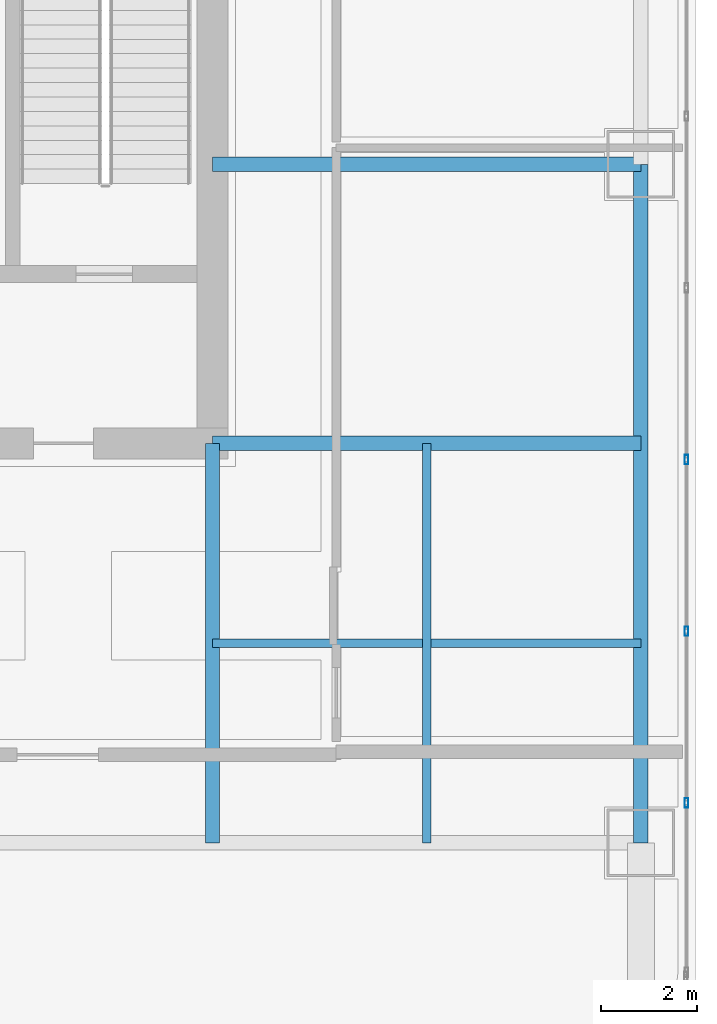
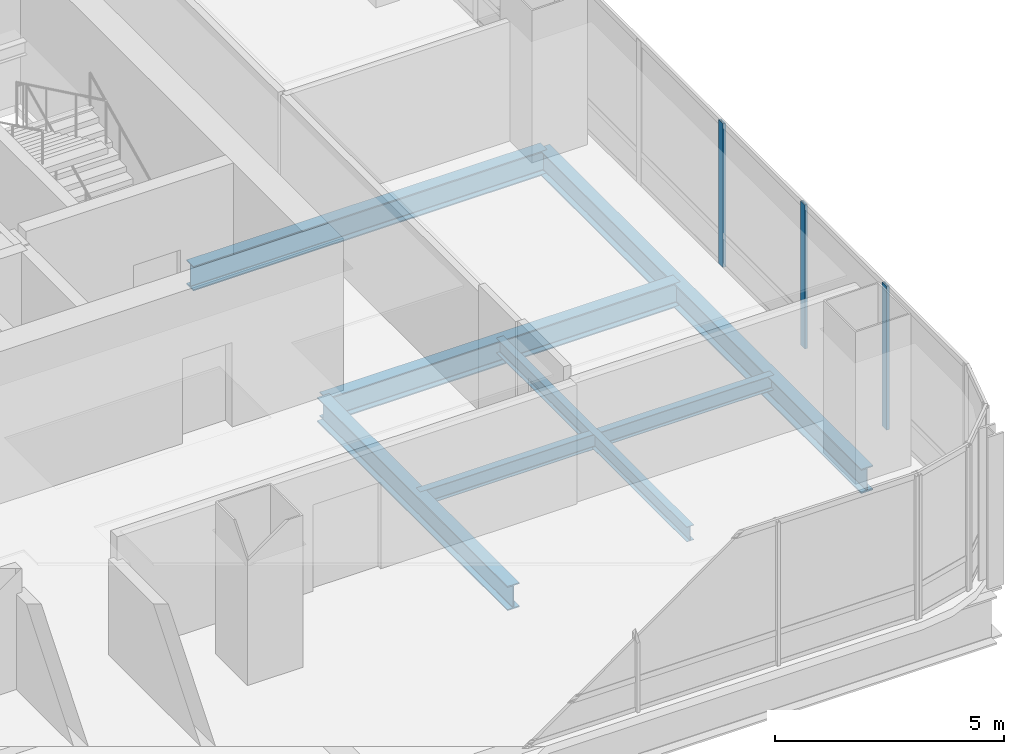
# One storey, part 14 of 36: 6 beams, 3 members, 1 element without a shape of its own.
"""IFC4 building model written with IfcOpenShell, lengths in metres."""

from ifc_helpers import new_model, si_unit, direction, frame, origin, origin_2d, place, context, subcontext, project, spatial, hollow_rectangle, i_section, extrude, material, material_profile, profile_set, type_object, element, aggregate, save


model = new_model("IFC4")

# Units and contexts
model_context = context("Model", 3, precision=1e-05, world=origin(), true_north=direction((0.0, 1.0)))
body_context = subcontext(model_context, "Body", "Model", "MODEL_VIEW")
ifc_project = project(units=[si_unit("LENGTHUNIT", "METRE"), si_unit("AREAUNIT", "SQUARE_METRE"), si_unit("VOLUMEUNIT", "CUBIC_METRE"), si_unit("PLANEANGLEUNIT", "RADIAN"), si_unit("MASSUNIT", "GRAM", prefix="KILO")], contexts=[model_context])

# Site, building, storey
site_placement = place(None, origin())
site = spatial("IfcSite", under=ifc_project, at=site_placement, CompositionType="ELEMENT")
building_placement = place(site_placement, origin())
building = spatial("IfcBuilding", under=site, at=building_placement, Name="Punatoya Terracotta Tower", CompositionType="ELEMENT")
storey_placement = place(building_placement, frame((0.0, 0.0, 196.5)))
storey = spatial("IfcBuildingStorey", under=building, at=storey_placement, Name="L46", CompositionType="ELEMENT", Elevation=196.5)

# Beams
ifc_material_1 = material(Name="Steel S355", Category="steel")
ifc_material_profile_1 = material_profile(ifc_material_1, i_section(OverallWidth=0.300048828125, OverallDepth=0.64990234375, WebThickness=0.01611328125, FlangeThickness=0.031005859375, FilletRadius=0.01806640625, at=origin_2d()))
ifc_profile_set_1 = profile_set([ifc_material_profile_1], Name="Steel S355")
beam_type_1 = type_object("IfcBeamType", Name="BM-PRI-650", PredefinedType="BEAM", material=ifc_profile_set_1)
beam_1_placement = place(storey_placement, frame((19.10009765625, -17.5, -0.544921875), z_axis=(0.0, 1.0, 0.0), x_axis=(-1.0, 0.0, 0.0)))
element("IfcBeam", 1, at=beam_1_placement, inside=storey, type_object=beam_type_1, Name="BM-L46-RG-E1", PredefinedType="BEAM", context=body_context, shape_type="SweptSolid", body=[
    extrude(i_section(OverallWidth=0.300048828125, OverallDepth=0.64990234375, WebThickness=0.01611328125, FlangeThickness=0.031005859375, FilletRadius=0.01806640625, at=origin_2d()), origin(), (0.0, 0.0, 1.0), 14.10009765625),
])
for number, where, z_axis, x_axis, name in (
    (2, (10.199951171875, -9.199951171875, -0.544921875), (1.0, 0.0, 0.0), (0.0, 1.0, 0.0), "BM-L46-PR-ES"),
    (3, (10.199951171875, -3.39990234375, -0.544921875), (1.0, 0.0, 0.0), (0.0, 1.0, 0.0), "BM-L46-PR-ED"),
):
    element("IfcBeam", number, at=place(storey_placement, frame(where, z_axis=z_axis, x_axis=x_axis)), inside=storey, type_object=beam_type_1, Name=name, PredefinedType="BEAM", context=body_context, shape_type="SweptSolid", body=[
        extrude(i_section(OverallWidth=0.300048828125, OverallDepth=0.64990234375, WebThickness=0.01611328125, FlangeThickness=0.031005859375, FilletRadius=0.01806640625, at=origin_2d()), origin(), (0.0, 0.0, 1.0), 8.900146484375),
    ])
beam_2_placement = place(storey_placement, frame((10.199951171875, -17.5, -0.544921875), z_axis=(0.0, 1.0, 0.0), x_axis=(-1.0, 0.0, 0.0)))
element("IfcBeam", 4, at=beam_2_placement, inside=storey, type_object=beam_type_1, Name="BM-L46-PR-S4", PredefinedType="BEAM", context=body_context, shape_type="SweptSolid", body=[
    extrude(i_section(OverallWidth=0.300048828125, OverallDepth=0.64990234375, WebThickness=0.01611328125, FlangeThickness=0.031005859375, FilletRadius=0.01806640625, at=origin_2d()), origin(), (0.0, 0.0, 1.0), 8.300048828125),
])
ifc_material_profile_2 = material_profile(ifc_material_1, i_section(OverallWidth=0.179931640625, OverallDepth=0.39990234375, WebThickness=0.008544921875, FlangeThickness=0.013427734375, FilletRadius=0.01806640625, at=origin_2d()))
ifc_profile_set_2 = profile_set([ifc_material_profile_2], Name="Steel S355")
beam_type_2 = type_object("IfcBeamType", Name="BM-SEC-400", PredefinedType="JOIST", material=ifc_profile_set_2)
beam_3_placement = place(storey_placement, frame((10.199951171875, -13.35009765625, -0.419921875), z_axis=(1.0, 0.0, 0.0), x_axis=(0.0, 1.0, 0.0)))
element("IfcBeam", 5, at=beam_3_placement, inside=storey, type_object=beam_type_2, Name="BM-L46-SJS-2", PredefinedType="JOIST", context=body_context, shape_type="SweptSolid", body=[
    extrude(i_section(OverallWidth=0.179931640625, OverallDepth=0.39990234375, WebThickness=0.008544921875, FlangeThickness=0.013427734375, FilletRadius=0.01806640625, at=origin_2d()), origin(), (0.0, 0.0, 1.0), 8.900146484375),
])
beam_4_placement = place(storey_placement, frame((14.64990234375, -17.5, -0.419921875), z_axis=(0.0, 1.0, 0.0), x_axis=(-1.0, 0.0, 0.0)))
element("IfcBeam", 6, at=beam_4_placement, inside=storey, type_object=beam_type_2, Name="BM-L46-SJE-1", PredefinedType="JOIST", context=body_context, shape_type="SweptSolid", body=[
    extrude(i_section(OverallWidth=0.179931640625, OverallDepth=0.39990234375, WebThickness=0.008544921875, FlangeThickness=0.013427734375, FilletRadius=0.01806640625, at=origin_2d()), origin(), (0.0, 0.0, 1.0), 8.300048828125),
])

# Curtain wall, members
ifc_material_2 = material(Name="Aluminium 6063-T6 + Double Low-E Glass", Category="aluminium")
curtain_wall_type = type_object("IfcCurtainWallType", Name="CW-M2", PredefinedType="NOTDEFINED", material=ifc_material_2)
curtain_wall_placement = place(storey_placement, origin())
curtain_wall = element("IfcCurtainWall", 7, at=curtain_wall_placement, inside=storey, type_object=curtain_wall_type, Name="L46 Curtain Wall CW-L46-E05-1", PredefinedType="NOTDEFINED")
ifc_material_3 = material(Name="Aluminium 6063-T6", Category="aluminium")
ifc_material_profile_3 = material_profile(ifc_material_3, hollow_rectangle(XDim=0.072021484375, YDim=0.195068359375, WallThickness=0.00439453125, at=origin_2d()))
ifc_profile_set_3 = profile_set([ifc_material_profile_3], Name="Aluminium 6063-T6")
member_type = type_object("IfcMemberType", Name="CW-MUL-M2", PredefinedType="MULLION", material=ifc_profile_set_3)
member_1_placement = place(storey_placement, frame((20.050048828125, -16.66943359375, 0.0), z_axis=(0.0, 0.0, 1.0), x_axis=(1.0, 0.0, 0.0)))
member_1 = element("IfcMember", 8, at=member_1_placement, type_object=member_type, Name="CW-L46-E05-1 Mullion 01", PredefinedType="MULLION", context=body_context, shape_type="SweptSolid", body=[
    extrude(hollow_rectangle(XDim=0.072021484375, YDim=0.195068359375, WallThickness=0.00439453125, at=origin_2d()), origin(), (0.0, 0.0, 1.0), 3.830078125),
])
member_2_placement = place(storey_placement, frame((20.050048828125, -13.10205078125, 0.0), z_axis=(0.0, 0.0, 1.0), x_axis=(1.0, 0.0, 0.0)))
member_2 = element("IfcMember", 9, at=member_2_placement, type_object=member_type, Name="CW-L46-E05-1 Mullion 02", PredefinedType="MULLION", context=body_context, shape_type="SweptSolid", body=[
    extrude(hollow_rectangle(XDim=0.072021484375, YDim=0.195068359375, WallThickness=0.00439453125, at=origin_2d()), origin(), (0.0, 0.0, 1.0), 3.830078125),
])
member_3_placement = place(storey_placement, frame((20.050048828125, -9.534912109375, 0.0), z_axis=(0.0, 0.0, 1.0), x_axis=(1.0, 0.0, 0.0)))
member_3 = element("IfcMember", 10, at=member_3_placement, type_object=member_type, Name="CW-L46-E05-1 Mullion 03", PredefinedType="MULLION", context=body_context, shape_type="SweptSolid", body=[
    extrude(hollow_rectangle(XDim=0.072021484375, YDim=0.195068359375, WallThickness=0.00439453125, at=origin_2d()), origin(), (0.0, 0.0, 1.0), 3.830078125),
])
aggregate(curtain_wall, [member_1, member_2, member_3])

save(model, "model.ifc")
